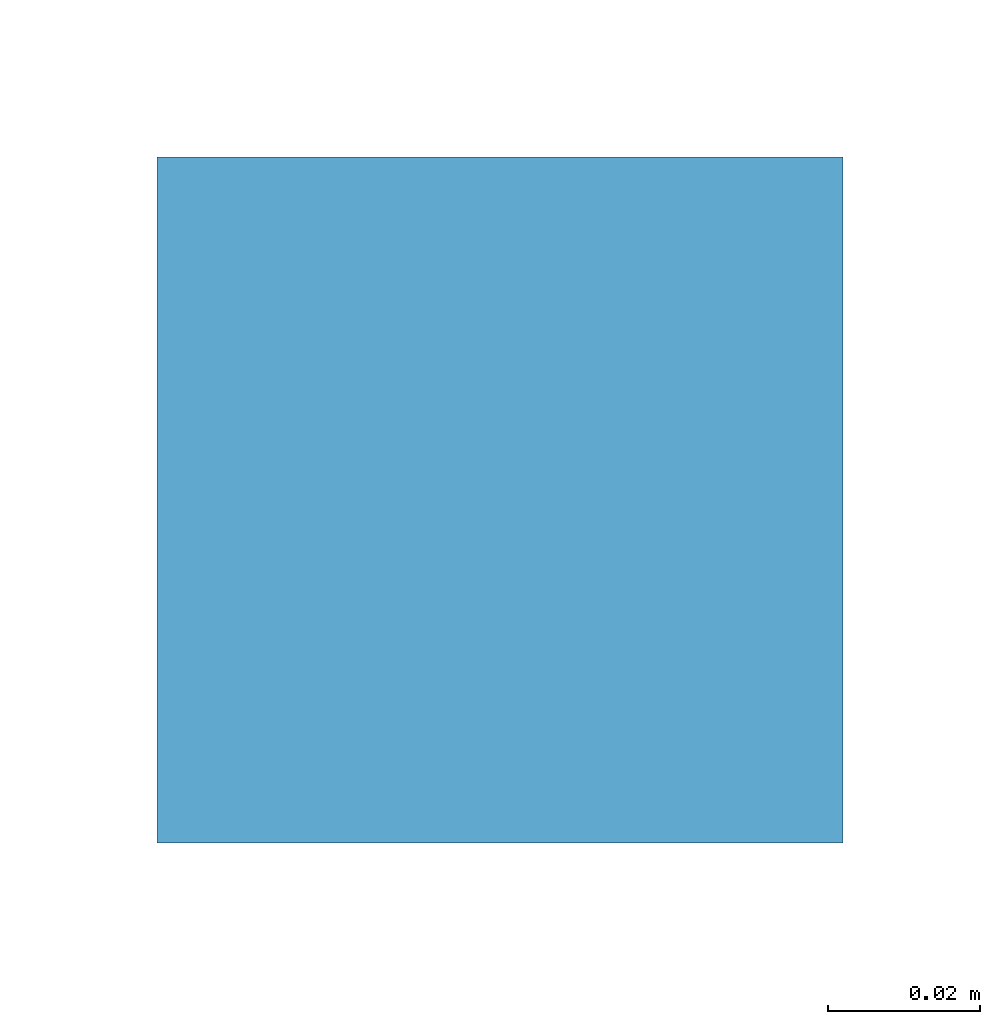
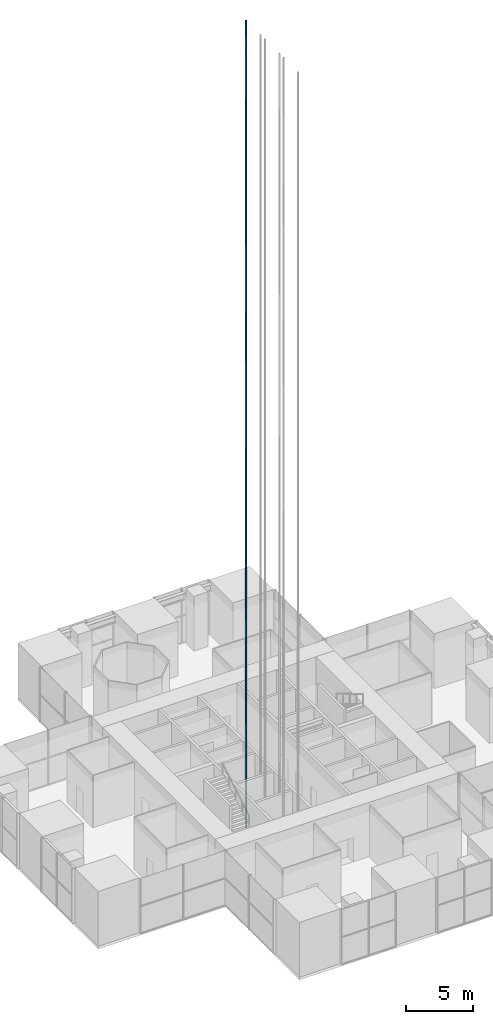
# One storey, part 13 of 16: 1 discrete accessory.
"""IFC4 building model written with IfcOpenShell, lengths in metres."""

from ifc_helpers import new_model, si_unit, direction, frame, origin, origin_2d, place, context, subcontext, project, spatial, rectangle, extrude, element, save


model = new_model("IFC4")

# Units and contexts
model_context = context("Model", 3, precision=1e-05, world=origin(), true_north=direction((0.0, 1.0)))
body_context = subcontext(model_context, "Body", "Model", "MODEL_VIEW")
ifc_project = project(units=[si_unit("LENGTHUNIT", "METRE"), si_unit("AREAUNIT", "SQUARE_METRE"), si_unit("VOLUMEUNIT", "CUBIC_METRE"), si_unit("PLANEANGLEUNIT", "RADIAN"), si_unit("MASSUNIT", "GRAM", prefix="KILO")], contexts=[model_context])

# Site, building, storey
site_placement = place(None, origin())
site = spatial("IfcSite", under=ifc_project, at=site_placement, CompositionType="ELEMENT")
building_placement = place(site_placement, origin())
building = spatial("IfcBuilding", under=site, at=building_placement, Name="Svetlomir Tower", CompositionType="ELEMENT")
storey_placement = place(building_placement, frame((0.0, 0.0, 91.5)))
storey = spatial("IfcBuildingStorey", under=building, at=storey_placement, Name="L21", CompositionType="ELEMENT", Elevation=91.5)

# Discrete accessory
discrete_accessory_placement = place(storey_placement, frame((18.300048828125, 20.574951171875, -1.400146484375), z_axis=(0.0, 0.0, 1.0), x_axis=(1.0, 0.0, 0.0)))
element("IfcDiscreteAccessory", 1, at=discrete_accessory_placement, inside=storey, Name="Lift LB3 guide rail 2", ObjectType="LIFT GUIDE RAIL", PredefinedType="USERDEFINED", context=body_context, shape_type="SweptSolid", body=[
    extrude(rectangle(XDim=0.090087890625, YDim=0.090087890625, at=origin_2d()), origin(), (0.0, 0.0, 1.0), 73.60009765625),
])

save(model, "model.ifc")
